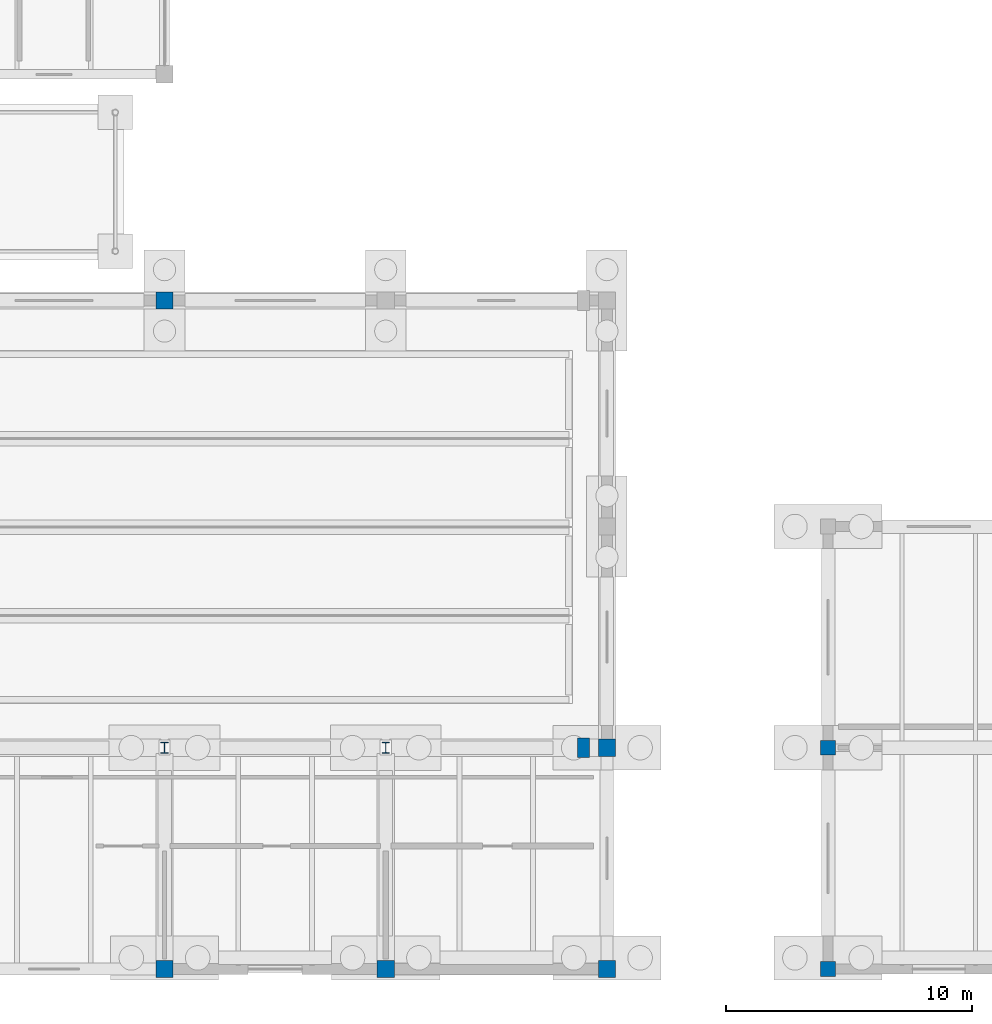
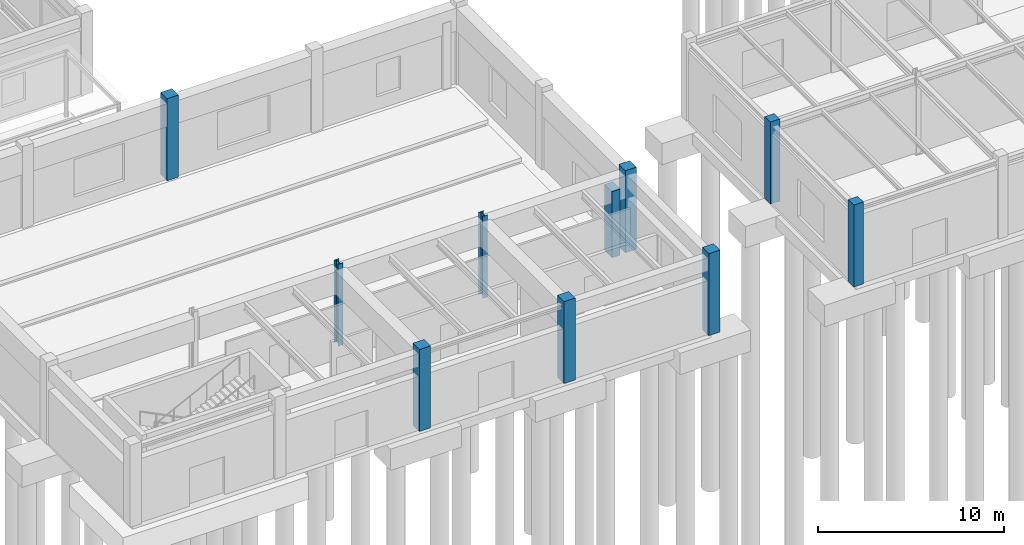
# One storey, part 8 of 76: 10 columns.
"""IFC4 building model written with IfcOpenShell, lengths in metres."""

from ifc_helpers import new_model, si_unit, direction, frame, origin, origin_2d, place, context, subcontext, project, spatial, rectangle, i_section, extrude, material, material_profile, profile_set, type_object, element, save


model = new_model("IFC4")

# Units and contexts
model_context = context("Model", 3, precision=1e-05, world=origin(), true_north=direction((0.0, 1.0)))
body_context = subcontext(model_context, "Body", "Model", "MODEL_VIEW")
ifc_project = project(units=[si_unit("LENGTHUNIT", "METRE"), si_unit("AREAUNIT", "SQUARE_METRE"), si_unit("VOLUMEUNIT", "CUBIC_METRE"), si_unit("PLANEANGLEUNIT", "RADIAN"), si_unit("MASSUNIT", "GRAM", prefix="KILO")], contexts=[model_context])

# Site, building, storey
site_placement = place(None, origin())
site = spatial("IfcSite", under=ifc_project, at=site_placement, CompositionType="ELEMENT")
building_placement = place(site_placement, origin())
building = spatial("IfcBuilding", under=site, at=building_placement, Name="Bozkorgan Art Gallery", CompositionType="ELEMENT")
storey_placement = place(building_placement, origin())
storey = spatial("IfcBuildingStorey", under=building, at=storey_placement, Name="L00", CompositionType="ELEMENT", Elevation=0.0)

# Columns
ifc_material_1 = material(Name="Concrete C40/50", Category="concrete")
ifc_material_profile_1 = material_profile(ifc_material_1, rectangle(XDim=0.60009765625, YDim=0.60009765625, at=origin_2d()), Name="RC 600x600")
ifc_profile_set_1 = profile_set([ifc_material_profile_1], Name="Concrete C40/50")
column_type_1 = type_object("IfcColumnType", Name="COLUMN-C-24", PredefinedType="COLUMN", material=ifc_profile_set_1)
for number, where, z_axis, x_axis, name in (
    (1, (128.0, 2.0, 0.0), (0.0, 0.0, 1.0), (1.0, 0.0, 0.0), "V6 L00 column (128.0, 2.0)"),
    (2, (128.0, 11.0, 0.0), (0.0, 0.0, 1.0), (1.0, 0.0, 0.0), "V6 L00 column (128.0, 11.0)"),
):
    element("IfcColumn", number, at=place(storey_placement, frame(where, z_axis=z_axis, x_axis=x_axis)), inside=storey, type_object=column_type_1, Name=name, PredefinedType="COLUMN", context=body_context, shape_type="SweptSolid", body=[
        extrude(rectangle(XDim=0.60009765625, YDim=0.60009765625, at=origin_2d()), origin(), (0.0, 0.0, 1.0), 5.39990234375),
    ])
ifc_material_profile_2 = material_profile(ifc_material_1, rectangle(XDim=0.699951171875, YDim=0.699951171875, at=origin_2d()), Name="RC 700x700")
ifc_profile_set_2 = profile_set([ifc_material_profile_2], Name="Concrete C40/50")
column_type_2 = type_object("IfcColumnType", Name="COLUMN-C-73", PredefinedType="COLUMN", material=ifc_profile_set_2)
for number, where, z_axis, x_axis, name in (
    (3, (101.0, 2.0, 0.0), (0.0, 0.0, 1.0), (1.0, 0.0, 0.0), "V3 L00 column (101.0, 2.0)"),
    (4, (101.0, 29.199951171875, 0.0), (0.0, 0.0, 1.0), (1.0, 0.0, 0.0), "V3 L00 column (101.0, 29.2)"),
    (5, (110.0, 2.0, 0.0), (0.0, 0.0, 1.0), (1.0, 0.0, 0.0), "V3 L00 column (110.0, 2.0)"),
    (6, (119.0, 2.0, 0.0), (0.0, 0.0, 1.0), (1.0, 0.0, 0.0), "V3 L00 column (119.0, 2.0)"),
    (7, (119.0, 11.0, 0.0), (0.0, 0.0, 1.0), (1.0, 0.0, 0.0), "V3 L00 column (119.0, 11.0)"),
):
    element("IfcColumn", number, at=place(storey_placement, frame(where, z_axis=z_axis, x_axis=x_axis)), inside=storey, type_object=column_type_2, Name=name, PredefinedType="COLUMN", context=body_context, shape_type="SweptSolid", body=[
        extrude(rectangle(XDim=0.699951171875, YDim=0.699951171875, at=origin_2d()), origin(), (0.0, 0.0, 1.0), 5.39990234375),
    ])
ifc_material_2 = material(Name="Steel S355J2", Category="steel")
ifc_material_profile_3 = material_profile(ifc_material_2, i_section(OverallWidth=0.300048828125, OverallDepth=0.449951171875, WebThickness=0.013916015625, FlangeThickness=0.02587890625, FilletRadius=0.027099609375, at=origin_2d()), Name="HEB 450")
ifc_profile_set_3 = profile_set([ifc_material_profile_3], Name="Steel S355J2")
column_type_3 = type_object("IfcColumnType", Name="COLUMN-C-92", PredefinedType="COLUMN", material=ifc_profile_set_3)
for number, where, z_axis, x_axis, name in (
    (8, (101.0, 11.0, 0.0), (0.0, 0.0, 1.0), (1.0, 0.0, 0.0), "V3 L00 column (101.0, 11.0)"),
    (9, (110.0, 11.0, 0.0), (0.0, 0.0, 1.0), (1.0, 0.0, 0.0), "V3 L00 column (110.0, 11.0)"),
):
    element("IfcColumn", number, at=place(storey_placement, frame(where, z_axis=z_axis, x_axis=x_axis)), inside=storey, type_object=column_type_3, Name=name, PredefinedType="COLUMN", context=body_context, shape_type="SweptSolid", body=[
        extrude(i_section(OverallWidth=0.300048828125, OverallDepth=0.449951171875, WebThickness=0.013916015625, FlangeThickness=0.02587890625, FilletRadius=0.027099609375, at=origin_2d()), origin(), (0.0, 0.0, 1.0), 5.39990234375),
    ])
ifc_material_profile_4 = material_profile(ifc_material_1, rectangle(XDim=0.5, YDim=0.800048828125, at=origin_2d()), Name="RC 500x800")
ifc_profile_set_4 = profile_set([ifc_material_profile_4], Name="Concrete C40/50")
column_type_4 = type_object("IfcColumnType", Name="COLUMN-PL-73", PredefinedType="PILASTER", material=ifc_profile_set_4)
column_placement = place(storey_placement, frame((118.050048828125, 11.0, 0.0), z_axis=(0.0, 0.0, 1.0), x_axis=(1.0, 0.0, 0.0)))
element("IfcColumn", 10, at=column_placement, inside=storey, type_object=column_type_4, Name="V3 L00 corner masonry pilaster 2", PredefinedType="PILASTER", context=body_context, shape_type="SweptSolid", body=[
    extrude(rectangle(XDim=0.5, YDim=0.800048828125, at=origin_2d()), origin(), (0.0, 0.0, 1.0), 4.35009765625),
])

save(model, "model.ifc")
